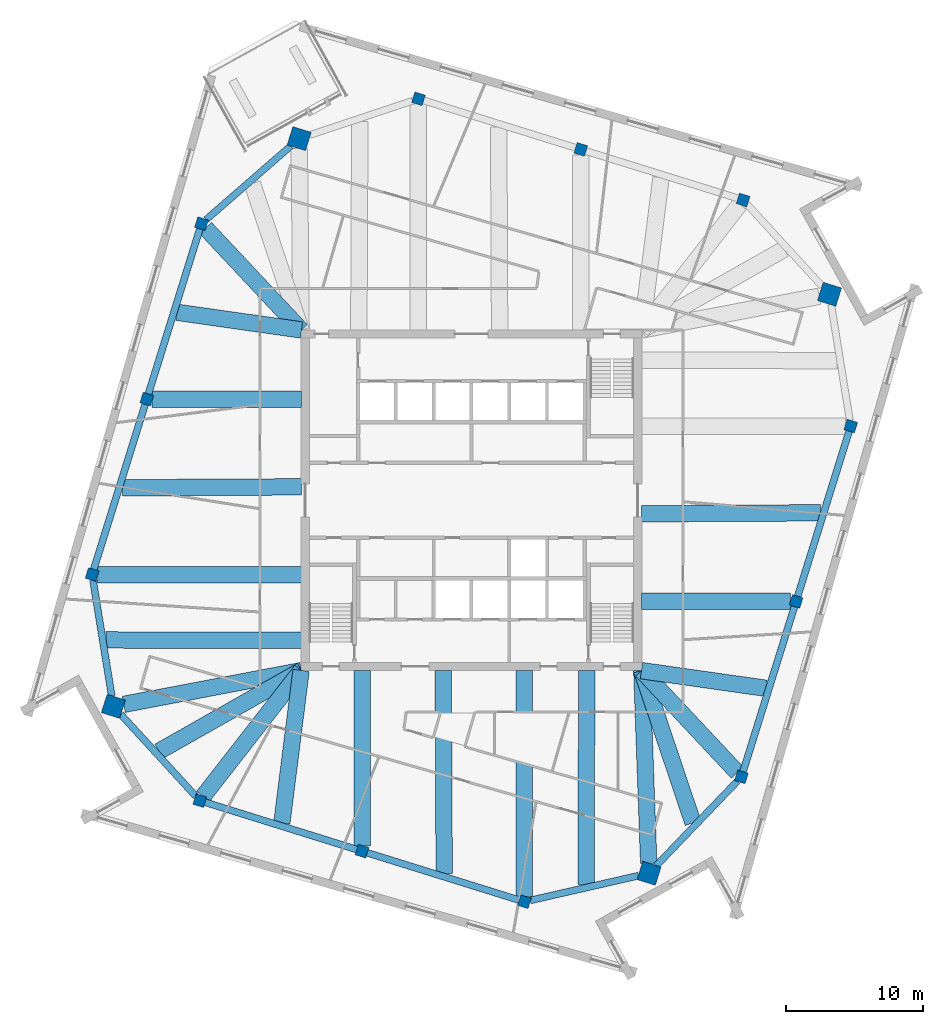
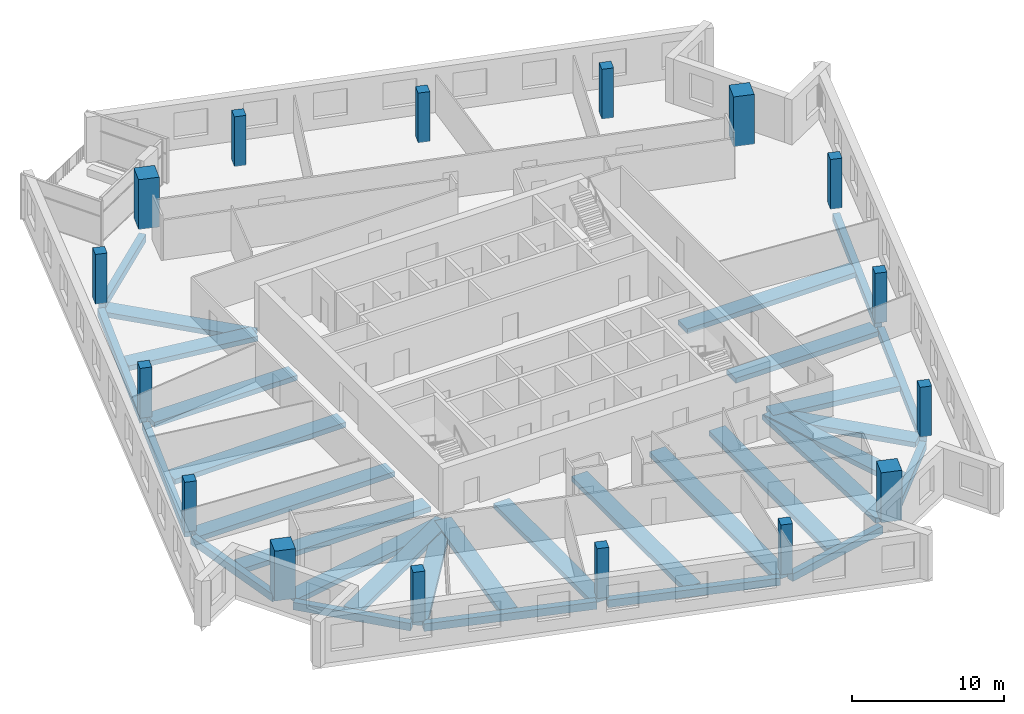
# One storey, part 1 of 15: 31 beams, 16 columns.
"""IFC4 building model written with IfcOpenShell, lengths in metres."""

from ifc_helpers import new_model, si_unit, direction, frame, origin, origin_2d, place, context, subcontext, project, spatial, rectangle, extrude, material, material_profile, profile_set, type_object, element, save


model = new_model("IFC4")

# Units and contexts
model_context = context("Model", 3, precision=1e-05, world=origin(), true_north=direction((0.0, 1.0)))
body_context = subcontext(model_context, "Body", "Model", "MODEL_VIEW")
ifc_project = project(units=[si_unit("LENGTHUNIT", "METRE"), si_unit("AREAUNIT", "SQUARE_METRE"), si_unit("VOLUMEUNIT", "CUBIC_METRE"), si_unit("PLANEANGLEUNIT", "RADIAN"), si_unit("MASSUNIT", "GRAM", prefix="KILO")], contexts=[model_context])

# Site, building, storey
site_placement = place(None, origin())
site = spatial("IfcSite", under=ifc_project, at=site_placement, CompositionType="ELEMENT")
building_placement = place(site_placement, origin())
building = spatial("IfcBuilding", under=site, at=building_placement, Name="Dilmun Exchange Tower", CompositionType="ELEMENT")
storey_placement = place(building_placement, frame((0.0, 0.0, 328.5)))
storey = spatial("IfcBuildingStorey", under=building, at=storey_placement, Name="L78", CompositionType="ELEMENT", Elevation=328.5)

# Columns
ifc_material_1 = material(Name="Concrete C50/60", Category="concrete")
ifc_material_profile_1 = material_profile(ifc_material_1, rectangle(XDim=1.39990234375, YDim=1.39990234375, at=origin_2d()), Name="1400 x 1400")
ifc_profile_set_1 = profile_set([ifc_material_profile_1], Name="Concrete C50/60")
column_type_1 = type_object("IfcColumnType", Name="RC mega column 1400 x 1400 C50/60", PredefinedType="COLUMN", material=ifc_profile_set_1)
for number, where, z_axis, x_axis, name in (
    (1, (-12.537109375, 26.322021484375, 0.0), (0.0, 0.0, 1.0), (0.297503182032, 0.954720826567, 0.0), "Mega column M1"),
    (2, (-26.06005859375, -14.9951171875, 0.0), (0.0, 0.0, 1.0), (0.297503182032, 0.954720826567, 0.0), "Mega column M2"),
    (3, (12.928955078125, -27.14404296875, 0.0), (0.0, 0.0, 1.0), (0.297503182032, 0.954720826567, 0.0), "Mega column M3"),
    (4, (26.06005859375, 14.9951171875, 0.0), (0.0, 0.0, 1.0), (0.297503182032, 0.954720826567, 0.0), "Mega column M4"),
):
    element("IfcColumn", number, at=place(storey_placement, frame(where, z_axis=z_axis, x_axis=x_axis)), inside=storey, type_object=column_type_1, Name=name, PredefinedType="COLUMN", context=body_context, shape_type="SweptSolid", body=[
        extrude(rectangle(XDim=1.39990234375, YDim=1.39990234375, at=origin_2d()), origin(), (0.0, 0.0, 1.0), 4.0),
    ])
ifc_material_profile_2 = material_profile(ifc_material_1, rectangle(XDim=0.800048828125, YDim=0.800048828125, at=origin_2d()), Name="800 x 800")
ifc_profile_set_2 = profile_set([ifc_material_profile_2], Name="Concrete C50/60")
column_type_2 = type_object("IfcColumnType", Name="RC ring column 800 x 800 C50/60", PredefinedType="COLUMN", material=ifc_profile_set_2)
for number, where, z_axis, x_axis, name in (
    (5, (-19.64990234375, 20.133056640625, 0.0), (0.0, 0.0, 1.0), (0.297503182032, 0.954720826567, 0.0), "Ring column R01"),
    (6, (-23.62890625, 7.363037109375, 0.0), (0.0, 0.0, 1.0), (0.297503182032, 0.954720826567, 0.0), "Ring column R02"),
    (7, (-27.60791015625, -5.406005859375, 0.0), (0.0, 0.0, 1.0), (0.297503182032, 0.954720826567, 0.0), "Ring column R03"),
    (8, (-19.77294921875, -21.85693359375, 0.0), (0.0, 0.0, 1.0), (0.297503182032, 0.954720826567, 0.0), "Ring column R04"),
    (9, (-7.9580078125, -25.5390625, 0.0), (0.0, 0.0, 1.0), (0.297503182032, 0.954720826567, 0.0), "Ring column R05"),
    (10, (3.85595703125, -29.219970703125, 0.0), (0.0, 0.0, 1.0), (0.297503182032, 0.954720826567, 0.0), "Ring column R06"),
    (11, (19.64990234375, -20.133056640625, 0.0), (0.0, 0.0, 1.0), (0.297503182032, 0.954720826567, 0.0), "Ring column R07"),
    (12, (23.62890625, -7.363037109375, 0.0), (0.0, 0.0, 1.0), (0.297503182032, 0.954720826567, 0.0), "Ring column R08"),
    (13, (27.60791015625, 5.406005859375, 0.0), (0.0, 0.0, 1.0), (0.297503182032, 0.954720826567, 0.0), "Ring column R09"),
    (14, (19.77294921875, 21.85693359375, 0.0), (0.0, 0.0, 1.0), (0.297503182032, 0.954720826567, 0.0), "Ring column R10"),
    (15, (7.9580078125, 25.5390625, 0.0), (0.0, 0.0, 1.0), (0.297503182032, 0.954720826567, 0.0), "Ring column R11"),
    (16, (-3.85595703125, 29.219970703125, 0.0), (0.0, 0.0, 1.0), (0.297503182032, 0.954720826567, 0.0), "Ring column R12"),
):
    element("IfcColumn", number, at=place(storey_placement, frame(where, z_axis=z_axis, x_axis=x_axis)), inside=storey, type_object=column_type_2, Name=name, PredefinedType="COLUMN", context=body_context, shape_type="SweptSolid", body=[
        extrude(rectangle(XDim=0.800048828125, YDim=0.800048828125, at=origin_2d()), origin(), (0.0, 0.0, 1.0), 4.0),
    ])

# Beams
ifc_material_2 = material(Name="Concrete C40/50", Category="concrete")
ifc_material_profile_3 = material_profile(ifc_material_2, rectangle(XDim=1.199951171875, YDim=0.39990234375, at=origin_2d()), Name="1200 x 400")
ifc_profile_set_3 = profile_set([ifc_material_profile_3], Name="Concrete C40/50")
beam_type_1 = type_object("IfcBeamType", Name="RC band beam 1200 x 400 C40/50", PredefinedType="BEAM", material=ifc_profile_set_3)
beam_1_placement = place(storey_placement, frame((-19.35400390625, 19.8173828125, -0.64990234375), z_axis=(0.683952281649, -0.729526748261, 0.0), x_axis=(0.729526748261, 0.683952281649, 0.0)))
element("IfcBeam", 17, at=beam_1_placement, inside=storey, type_object=beam_type_1, Name="Band beam 2", PredefinedType="BEAM", context=body_context, shape_type="SweptSolid", body=[
    extrude(rectangle(XDim=1.199951171875, YDim=0.39990234375, at=origin_2d()), origin(), (0.0, 0.0, 1.0), 10.1943359375),
])
beam_2_placement = place(storey_placement, frame((-23.237060546875, 7.363037109375, -0.64990234375), z_axis=(1.0, 0.0, 0.0), x_axis=(0.0, 1.0, 0.0)))
element("IfcBeam", 18, at=beam_2_placement, inside=storey, type_object=beam_type_1, Name="Band beam 3", PredefinedType="BEAM", context=body_context, shape_type="SweptSolid", body=[
    extrude(rectangle(XDim=1.199951171875, YDim=0.39990234375, at=origin_2d()), origin(), (0.0, 0.0, 1.0), 10.864013671875),
])
beam_3_placement = place(storey_placement, frame((-27.216064453125, -5.406005859375, -0.64990234375), z_axis=(1.0, 0.0, 0.0), x_axis=(0.0, 1.0, 0.0)))
element("IfcBeam", 19, at=beam_3_placement, inside=storey, type_object=beam_type_1, Name="Band beam 4", PredefinedType="BEAM", context=body_context, shape_type="SweptSolid", body=[
    extrude(rectangle(XDim=1.199951171875, YDim=0.39990234375, at=origin_2d()), origin(), (0.0, 0.0, 1.0), 14.843017578125),
])
beam_4_placement = place(storey_placement, frame((-25.30712890625, -14.85205078125, -0.64990234375), z_axis=(0.982429348436, 0.18663487169, 0.0), x_axis=(-0.18663487169, 0.982429348436, 0.0)))
element("IfcBeam", 20, at=beam_4_placement, inside=storey, type_object=beam_type_1, Name="Band beam 5", PredefinedType="BEAM", context=body_context, shape_type="SweptSolid", body=[
    extrude(rectangle(XDim=1.199951171875, YDim=0.39990234375, at=origin_2d()), origin(), (0.0, 0.0, 1.0), 13.164794921875),
])
beam_5_placement = place(storey_placement, frame((-19.52685546875, -21.541259765625, -0.64990234375), z_axis=(0.614856714099, 0.788638840743, 0.0), x_axis=(-0.788638840743, 0.614856714099, 0.0)))
element("IfcBeam", 21, at=beam_5_placement, inside=storey, type_object=beam_type_1, Name="Band beam 6", PredefinedType="BEAM", context=body_context, shape_type="SweptSolid", body=[
    extrude(rectangle(XDim=1.199951171875, YDim=0.39990234375, at=origin_2d()), origin(), (0.0, 0.0, 1.0), 11.6181640625),
])
beam_6_placement = place(storey_placement, frame((-7.9580078125, -25.14697265625, -0.64990234375), z_axis=(0.0, 1.0, 0.0), x_axis=(-1.0, 0.0, 0.0)))
element("IfcBeam", 22, at=beam_6_placement, inside=storey, type_object=beam_type_1, Name="Band beam 7", PredefinedType="BEAM", context=body_context, shape_type="SweptSolid", body=[
    extrude(rectangle(XDim=1.199951171875, YDim=0.39990234375, at=origin_2d()), origin(), (0.0, 0.0, 1.0), 12.77392578125),
])
beam_7_placement = place(storey_placement, frame((3.85595703125, -28.827880859375, -0.64990234375), z_axis=(0.0, 1.0, 0.0), x_axis=(-1.0, 0.0, 0.0)))
element("IfcBeam", 23, at=beam_7_placement, inside=storey, type_object=beam_type_1, Name="Band beam 8", PredefinedType="BEAM", context=body_context, shape_type="SweptSolid", body=[
    extrude(rectangle(XDim=1.199951171875, YDim=0.39990234375, at=origin_2d()), origin(), (0.0, 0.0, 1.0), 16.454833984375),
])
beam_8_placement = place(storey_placement, frame((12.9033203125, -26.429443359375, -0.64990234375), z_axis=(-0.035860549827, 0.999356803632, 0.0), x_axis=(-0.999356803632, -0.035860549827, 0.0)))
element("IfcBeam", 24, at=beam_8_placement, inside=storey, type_object=beam_type_1, Name="Band beam 9", PredefinedType="BEAM", context=body_context, shape_type="SweptSolid", body=[
    extrude(rectangle(XDim=1.199951171875, YDim=0.39990234375, at=origin_2d()), origin(), (0.0, 0.0, 1.0), 14.0654296875),
])
beam_9_placement = place(storey_placement, frame((19.35400390625, -19.8173828125, -0.64990234375), z_axis=(-0.683952281649, 0.729526748261, 0.0), x_axis=(-0.729526748261, -0.683952281649, 0.0)))
element("IfcBeam", 25, at=beam_9_placement, inside=storey, type_object=beam_type_1, Name="Band beam 10", PredefinedType="BEAM", context=body_context, shape_type="SweptSolid", body=[
    extrude(rectangle(XDim=1.199951171875, YDim=0.39990234375, at=origin_2d()), origin(), (0.0, 0.0, 1.0), 10.1943359375),
])
beam_10_placement = place(storey_placement, frame((23.237060546875, -7.363037109375, -0.64990234375), z_axis=(-1.0, 0.0, 0.0), x_axis=(0.0, -1.0, 0.0)))
element("IfcBeam", 26, at=beam_10_placement, inside=storey, type_object=beam_type_1, Name="Band beam 11", PredefinedType="BEAM", context=body_context, shape_type="SweptSolid", body=[
    extrude(rectangle(XDim=1.199951171875, YDim=0.39990234375, at=origin_2d()), origin(), (0.0, 0.0, 1.0), 10.864013671875),
])
beam_11_placement = place(storey_placement, frame((-21.426513671875, 13.681640625, -0.550048828125), z_axis=(0.990066629404, -0.140598966357, 0.0), x_axis=(0.140598966357, 0.990066629404, 0.0)))
element("IfcBeam", 27, at=beam_11_placement, inside=storey, type_object=beam_type_1, Name="Band beam 18", PredefinedType="BEAM", context=body_context, shape_type="SweptSolid", body=[
    extrude(rectangle(XDim=1.199951171875, YDim=0.39990234375, at=origin_2d()), origin(), (0.0, 0.0, 1.0), 9.14404296875),
])
beam_12_placement = place(storey_placement, frame((-25.405517578125, 0.912109375, -0.550048828125), z_axis=(0.999987018468, 0.005095379798, 0.0), x_axis=(-0.005095379798, 0.999987018468, 0.0)))
element("IfcBeam", 28, at=beam_12_placement, inside=storey, type_object=beam_type_1, Name="Band beam 19", PredefinedType="BEAM", context=body_context, shape_type="SweptSolid", body=[
    extrude(rectangle(XDim=1.199951171875, YDim=0.39990234375, at=origin_2d()), origin(), (0.0, 0.0, 1.0), 13.03271484375),
])
beam_13_placement = place(storey_placement, frame((-26.614013671875, -10.1650390625, -0.550048828125), z_axis=(0.999996910379, -0.002485806038, 0.0), x_axis=(0.002485806038, 0.999996910379, 0.0)))
element("IfcBeam", 29, at=beam_13_placement, inside=storey, type_object=beam_type_1, Name="Band beam 20", PredefinedType="BEAM", context=body_context, shape_type="SweptSolid", body=[
    extrude(rectangle(XDim=1.199951171875, YDim=0.39990234375, at=origin_2d()), origin(), (0.0, 0.0, 1.0), 14.240966796875),
])
beam_14_placement = place(storey_placement, frame((-22.752197265625, -18.275390625, -0.550048828125), z_axis=(0.869690188955, 0.493597989496, 0.0), x_axis=(-0.493597989496, 0.869690188955, 0.0)))
element("IfcBeam", 30, at=beam_14_placement, inside=storey, type_object=beam_type_1, Name="Band beam 21", PredefinedType="BEAM", context=body_context, shape_type="SweptSolid", body=[
    extrude(rectangle(XDim=1.199951171875, YDim=0.39990234375, at=origin_2d()), origin(), (0.0, 0.0, 1.0), 11.93017578125),
])
beam_15_placement = place(storey_placement, frame((-13.79931640625, -23.485107421875, -0.550048828125), z_axis=(0.125252659456, 0.992124876867, 0.0), x_axis=(-0.992124876867, 0.125252659456, 0.0)))
element("IfcBeam", 31, at=beam_15_placement, inside=storey, type_object=beam_type_1, Name="Band beam 22", PredefinedType="BEAM", context=body_context, shape_type="SweptSolid", body=[
    extrude(rectangle(XDim=1.199951171875, YDim=0.39990234375, at=origin_2d()), origin(), (0.0, 0.0, 1.0), 11.199951171875),
])
beam_16_placement = place(storey_placement, frame((-1.984619140625, -27.16650390625, -0.550048828125), z_axis=(-0.004488848064, 0.999989925071, 0.0), x_axis=(-0.999989925071, -0.004488848064, 0.0)))
element("IfcBeam", 32, at=beam_16_placement, inside=storey, type_object=beam_type_1, Name="Band beam 23", PredefinedType="BEAM", context=body_context, shape_type="SweptSolid", body=[
    extrude(rectangle(XDim=1.199951171875, YDim=0.39990234375, at=origin_2d()), origin(), (0.0, 0.0, 1.0), 14.793701171875),
])
beam_17_placement = place(storey_placement, frame((8.3427734375, -27.964599609375, -0.550048828125), z_axis=(0.003194321582, 0.999994898142, 0.0), x_axis=(-0.999994898142, 0.003194321582, 0.0)))
element("IfcBeam", 33, at=beam_17_placement, inside=storey, type_object=beam_type_1, Name="Band beam 24", PredefinedType="BEAM", context=body_context, shape_type="SweptSolid", body=[
    extrude(rectangle(XDim=1.199951171875, YDim=0.39990234375, at=origin_2d()), origin(), (0.0, 0.0, 1.0), 15.591552734375),
])
beam_18_placement = place(storey_placement, frame((16.12841796875, -23.484130859375, -0.550048828125), z_axis=(-0.318844720982, 0.947806965527, 0.0), x_axis=(-0.947806965527, -0.318844720982, 0.0)))
element("IfcBeam", 34, at=beam_18_placement, inside=storey, type_object=beam_type_1, Name="Band beam 25", PredefinedType="BEAM", context=body_context, shape_type="SweptSolid", body=[
    extrude(rectangle(XDim=1.199951171875, YDim=0.39990234375, at=origin_2d()), origin(), (0.0, 0.0, 1.0), 11.721435546875),
])
beam_19_placement = place(storey_placement, frame((21.426513671875, -13.681640625, -0.550048828125), z_axis=(-0.990066629404, 0.140598966357, 0.0), x_axis=(-0.140598966357, -0.990066629404, 0.0)))
element("IfcBeam", 35, at=beam_19_placement, inside=storey, type_object=beam_type_1, Name="Band beam 26", PredefinedType="BEAM", context=body_context, shape_type="SweptSolid", body=[
    extrude(rectangle(XDim=1.199951171875, YDim=0.39990234375, at=origin_2d()), origin(), (0.0, 0.0, 1.0), 9.14404296875),
])
beam_20_placement = place(storey_placement, frame((25.405517578125, -0.912109375, -0.550048828125), z_axis=(-0.999987018468, -0.005095379798, 0.0), x_axis=(0.005095379798, -0.999987018468, 0.0)))
element("IfcBeam", 36, at=beam_20_placement, inside=storey, type_object=beam_type_1, Name="Band beam 27", PredefinedType="BEAM", context=body_context, shape_type="SweptSolid", body=[
    extrude(rectangle(XDim=1.199951171875, YDim=0.39990234375, at=origin_2d()), origin(), (0.0, 0.0, 1.0), 13.03271484375),
])
ifc_material_profile_4 = material_profile(ifc_material_2, rectangle(XDim=0.5, YDim=0.60009765625, at=origin_2d()), Name="500 x 600")
ifc_profile_set_4 = profile_set([ifc_material_profile_4], Name="Concrete C40/50")
beam_type_2 = type_object("IfcBeamType", Name="RC ring beam 500 x 600 C40/50", PredefinedType="SPANDREL", material=ifc_profile_set_4)
beam_21_placement = place(storey_placement, frame((-13.13720703125, 25.7998046875, -0.64990234375), z_axis=(-0.754412964807, -0.656400090289, 0.0), x_axis=(0.656400090289, -0.754412964807, 0.0)))
element("IfcBeam", 37, at=beam_21_placement, inside=storey, type_object=beam_type_2, Name="Ring beam 1", PredefinedType="SPANDREL", context=body_context, shape_type="SweptSolid", body=[
    extrude(rectangle(XDim=0.5, YDim=0.60009765625, at=origin_2d()), origin(), (0.0, 0.0, 1.0), 8.190185546875),
])
beam_22_placement = place(storey_placement, frame((-19.760986328125, 19.77685546875, -0.64990234375), z_axis=(-0.297481296371, -0.954727646143, 0.0), x_axis=(0.954727646143, -0.297481296371, 0.0)))
element("IfcBeam", 38, at=beam_22_placement, inside=storey, type_object=beam_type_2, Name="Ring beam 2", PredefinedType="SPANDREL", context=body_context, shape_type="SweptSolid", body=[
    extrude(rectangle(XDim=0.5, YDim=0.60009765625, at=origin_2d()), origin(), (0.0, 0.0, 1.0), 12.629638671875),
])
beam_23_placement = place(storey_placement, frame((-23.739990234375, 7.0068359375, -0.64990234375), z_axis=(-0.297508749799, -0.954719091562, 0.0), x_axis=(0.954719091562, -0.297508749799, 0.0)))
element("IfcBeam", 39, at=beam_23_placement, inside=storey, type_object=beam_type_2, Name="Ring beam 3", PredefinedType="SPANDREL", context=body_context, shape_type="SweptSolid", body=[
    extrude(rectangle(XDim=0.5, YDim=0.60009765625, at=origin_2d()), origin(), (0.0, 0.0, 1.0), 12.62841796875),
])
beam_24_placement = place(storey_placement, frame((-27.541015625, -5.820556640625, -0.64990234375), z_axis=(0.159356501233, -0.987221102649, 0.0), x_axis=(0.987221102649, 0.159356501233, 0.0)))
element("IfcBeam", 40, at=beam_24_placement, inside=storey, type_object=beam_type_2, Name="Ring beam 4", PredefinedType="SPANDREL", context=body_context, shape_type="SweptSolid", body=[
    extrude(rectangle(XDim=0.5, YDim=0.60009765625, at=origin_2d()), origin(), (0.0, 0.0, 1.0), 8.5380859375),
])
beam_25_placement = place(storey_placement, frame((-25.531005859375, -15.572265625, -0.64990234375), z_axis=(0.675535971399, -0.737327031476, 0.0), x_axis=(0.737327031476, 0.675535971399, 0.0)))
element("IfcBeam", 41, at=beam_25_placement, inside=storey, type_object=beam_type_2, Name="Ring beam 5", PredefinedType="SPANDREL", context=body_context, shape_type="SweptSolid", body=[
    extrude(rectangle(XDim=0.5, YDim=0.60009765625, at=origin_2d()), origin(), (0.0, 0.0, 1.0), 8.087890625),
])
beam_26_placement = place(storey_placement, frame((-19.4169921875, -21.968017578125, -0.64990234375), z_axis=(0.95471613385, -0.297518241065, 0.0), x_axis=(0.297518241065, 0.95471613385, 0.0)))
element("IfcBeam", 42, at=beam_26_placement, inside=storey, type_object=beam_type_2, Name="Ring beam 6", PredefinedType="SPANDREL", context=body_context, shape_type="SweptSolid", body=[
    extrude(rectangle(XDim=0.5, YDim=0.60009765625, at=origin_2d()), origin(), (0.0, 0.0, 1.0), 11.62939453125),
])
beam_27_placement = place(storey_placement, frame((-7.601806640625, -25.64990234375, -0.64990234375), z_axis=(0.954732553331, -0.297465546931, 0.0), x_axis=(0.297465546931, 0.954732553331, 0.0)))
element("IfcBeam", 43, at=beam_27_placement, inside=storey, type_object=beam_type_2, Name="Ring beam 7", PredefinedType="SPANDREL", context=body_context, shape_type="SweptSolid", body=[
    extrude(rectangle(XDim=0.5, YDim=0.60009765625, at=origin_2d()), origin(), (0.0, 0.0, 1.0), 11.628173828125),
])
beam_28_placement = place(storey_placement, frame((4.28076171875, -29.122802734375, -0.64990234375), z_axis=(0.974807153913, 0.223049350324, 0.0), x_axis=(-0.223049350324, 0.974807153913, 0.0)))
element("IfcBeam", 44, at=beam_28_placement, inside=storey, type_object=beam_type_2, Name="Ring beam 8", PredefinedType="SPANDREL", context=body_context, shape_type="SweptSolid", body=[
    extrude(rectangle(XDim=0.5, YDim=0.60009765625, at=origin_2d()), origin(), (0.0, 0.0, 1.0), 8.0888671875),
])
beam_29_placement = place(storey_placement, frame((13.451416015625, -26.598876953125, -0.64990234375), z_axis=(0.692021502551, 0.721876887016, 0.0), x_axis=(-0.721876887016, 0.692021502551, 0.0)))
element("IfcBeam", 45, at=beam_29_placement, inside=storey, type_object=beam_type_2, Name="Ring beam 9", PredefinedType="SPANDREL", context=body_context, shape_type="SweptSolid", body=[
    extrude(rectangle(XDim=0.5, YDim=0.60009765625, at=origin_2d()), origin(), (0.0, 0.0, 1.0), 8.537353515625),
])
beam_30_placement = place(storey_placement, frame((19.760986328125, -19.77685546875, -0.64990234375), z_axis=(0.297481296371, 0.954727646143, 0.0), x_axis=(-0.954727646143, 0.297481296371, 0.0)))
element("IfcBeam", 46, at=beam_30_placement, inside=storey, type_object=beam_type_2, Name="Ring beam 10", PredefinedType="SPANDREL", context=body_context, shape_type="SweptSolid", body=[
    extrude(rectangle(XDim=0.5, YDim=0.60009765625, at=origin_2d()), origin(), (0.0, 0.0, 1.0), 12.629638671875),
])
beam_31_placement = place(storey_placement, frame((23.739990234375, -7.0068359375, -0.64990234375), z_axis=(0.297508749799, 0.954719091562, 0.0), x_axis=(-0.954719091562, 0.297508749799, 0.0)))
element("IfcBeam", 47, at=beam_31_placement, inside=storey, type_object=beam_type_2, Name="Ring beam 11", PredefinedType="SPANDREL", context=body_context, shape_type="SweptSolid", body=[
    extrude(rectangle(XDim=0.5, YDim=0.60009765625, at=origin_2d()), origin(), (0.0, 0.0, 1.0), 12.62841796875),
])

save(model, "model.ifc")
